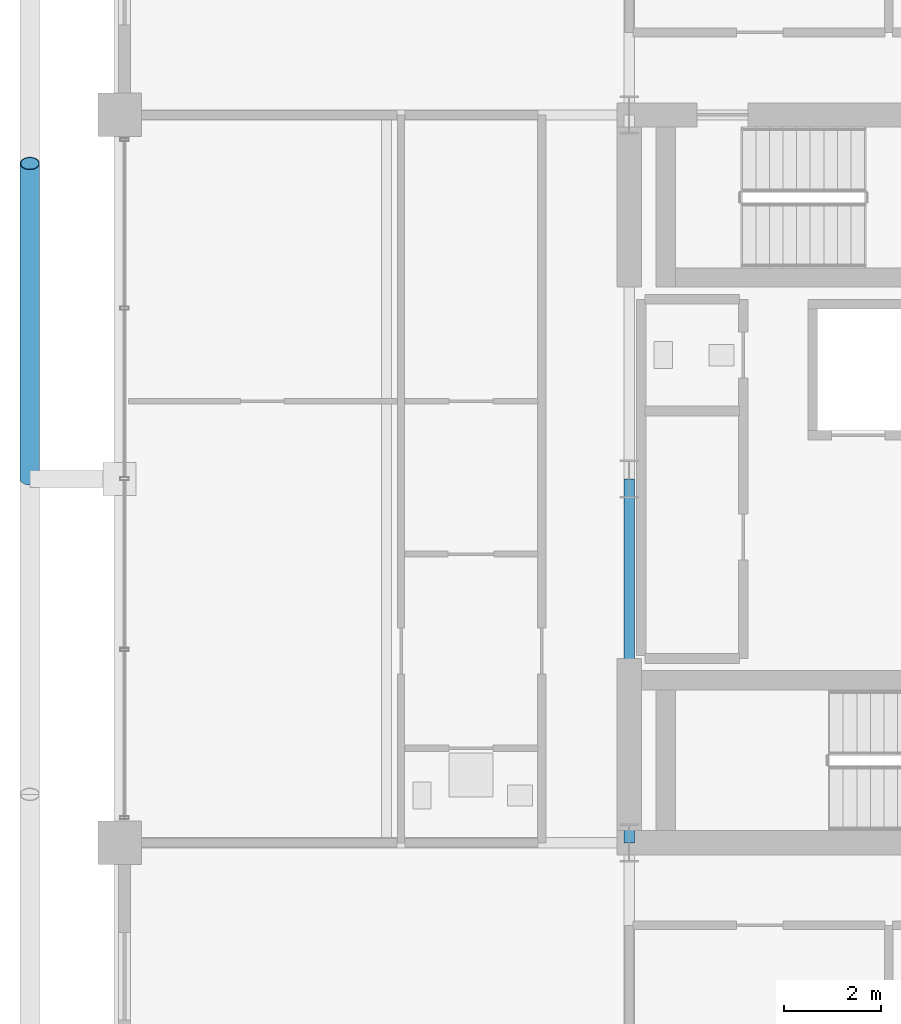
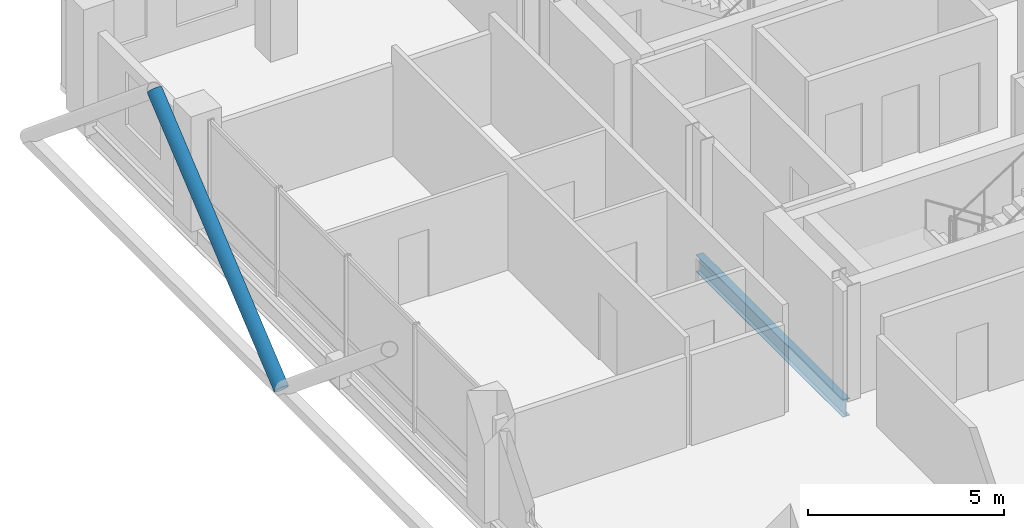
# One storey, part 9 of 24: 1 beam, 1 member.
"""IFC4 building model written with IfcOpenShell, lengths in metres."""

from ifc_helpers import new_model, si_unit, direction, frame, origin, origin_2d, place, context, subcontext, project, spatial, hollow_circle, i_section, extrude, material, material_profile, profile_set, type_object, element, save


model = new_model("IFC4")

# Units and contexts
model_context = context("Model", 3, precision=1e-05, world=origin(), true_north=direction((0.0, 1.0)))
body_context = subcontext(model_context, "Body", "Model", "MODEL_VIEW")
ifc_project = project(units=[si_unit("LENGTHUNIT", "METRE"), si_unit("AREAUNIT", "SQUARE_METRE"), si_unit("VOLUMEUNIT", "CUBIC_METRE"), si_unit("PLANEANGLEUNIT", "RADIAN"), si_unit("MASSUNIT", "GRAM", prefix="KILO")], contexts=[model_context])

# Site, building, storey
site_placement = place(None, origin())
site = spatial("IfcSite", under=ifc_project, at=site_placement, CompositionType="ELEMENT")
building_placement = place(site_placement, origin())
building = spatial("IfcBuilding", under=site, at=building_placement, Name="Barlavira Tower and Art Museum", CompositionType="ELEMENT")
storey_placement = place(building_placement, frame((0.0, 0.0, 294.300048828125)))
storey = spatial("IfcBuildingStorey", under=building, at=storey_placement, Name="L77", CompositionType="ELEMENT", Elevation=294.300048828125)

# Member
ifc_material = material(Name="Steel S355", Category="steel")
ifc_material_profile_1 = material_profile(ifc_material, hollow_circle(Radius=0.203125, WallThickness=0.01611328125, at=origin_2d()), Name="CHS 406.4x16.0")
ifc_profile_set_1 = profile_set([ifc_material_profile_1], Name="Steel S355")
member_type = type_object("IfcMemberType", Name="Pale-Metal Exoskeleton Diagrid Tube CHS 406x16 Steel S355", PredefinedType="BRACE", material=ifc_profile_set_1)
member_placement = place(storey_placement, frame((-18.85009765625, 0.0, -0.1201171875), z_axis=(0.0, 0.76918185268, 0.639029950399), x_axis=(-1.0, 0.0, 0.0)))
element("IfcMember", 1, at=member_placement, inside=storey, type_object=member_type, Name="L77 Exoskeleton Diagrid Tube W", PredefinedType="BRACE", context=body_context, shape_type="SweptSolid", body=[
    extrude(hollow_circle(Radius=0.203125, WallThickness=0.01611328125, at=origin_2d()), origin(), (0.0, 0.0, 1.0), 8.450439453125),
])

# Beam
ifc_material_profile_2 = material_profile(ifc_material, i_section(OverallWidth=0.2109375, OverallDepth=0.5390625, WebThickness=0.01171875, FlangeThickness=0.018798828125, at=origin_2d()), Name="W530x109.0")
ifc_profile_set_2 = profile_set([ifc_material_profile_2], Name="Steel S355")
beam_type = type_object("IfcBeamType", Name="Zone 3-4 Primary Floor Girder W530x109 Steel S355", PredefinedType="BEAM", material=ifc_profile_set_2)
beam_placement = place(storey_placement, frame((-6.5, -7.5, -0.489501953125), z_axis=(0.0, 1.0, 0.0), x_axis=(-1.0, 0.0, 0.0)))
element("IfcBeam", 2, at=beam_placement, inside=storey, type_object=beam_type, Name="L77 Girder C-W1", PredefinedType="BEAM", context=body_context, shape_type="SweptSolid", body=[
    extrude(i_section(OverallWidth=0.2109375, OverallDepth=0.5390625, WebThickness=0.01171875, FlangeThickness=0.018798828125, at=origin_2d()), origin(), (0.0, 0.0, 1.0), 7.5),
])

save(model, "model.ifc")
